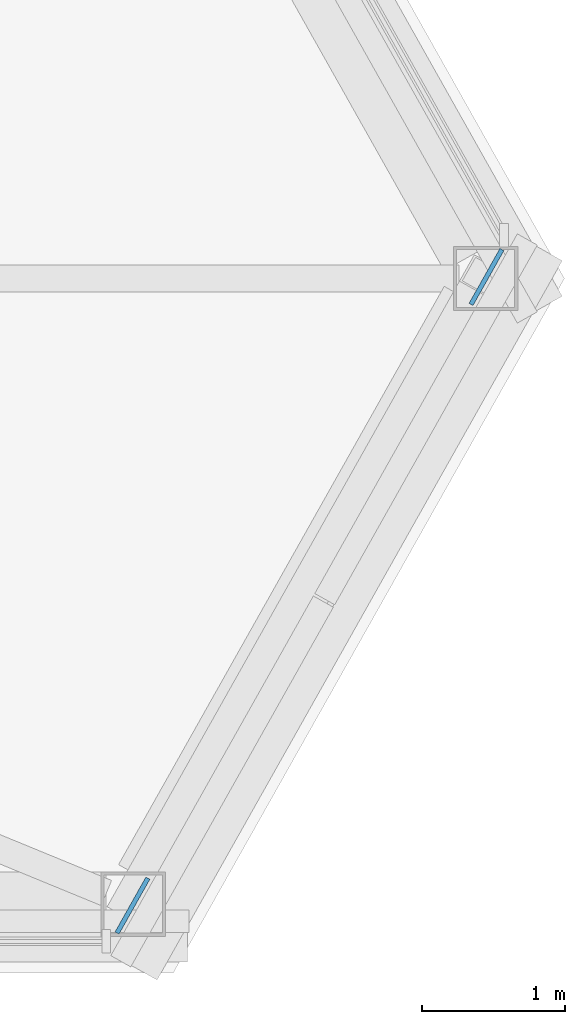
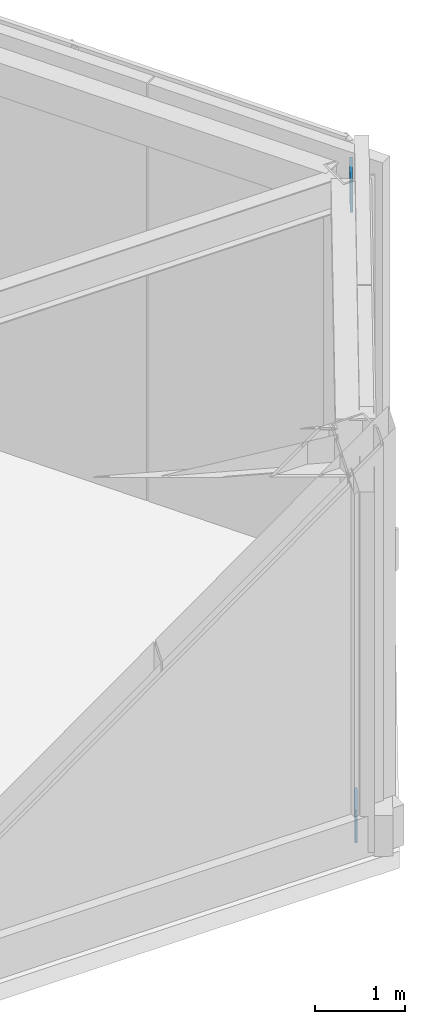
# One storey, part 8 of 11: 2 plates.
"""IFC4 building model written with IfcOpenShell, lengths in metres."""

from ifc_helpers import new_model, si_unit, direction, frame, origin, origin_2d, place, context, subcontext, project, spatial, rectangle, extrude, material, layer, layer_set, type_object, element, save


model = new_model("IFC4")

# Units and contexts
model_context = context("Model", 3, precision=1e-05, world=origin(), true_north=direction((0.0, 1.0)))
body_context = subcontext(model_context, "Body", "Model", "MODEL_VIEW")
ifc_project = project(units=[si_unit("LENGTHUNIT", "METRE"), si_unit("AREAUNIT", "SQUARE_METRE"), si_unit("VOLUMEUNIT", "CUBIC_METRE"), si_unit("PLANEANGLEUNIT", "RADIAN"), si_unit("MASSUNIT", "GRAM", prefix="KILO")], contexts=[model_context])

# Site, building, storey
site_placement = place(None, origin())
site = spatial("IfcSite", under=ifc_project, at=site_placement, CompositionType="ELEMENT")
building_placement = place(site_placement, origin())
building = spatial("IfcBuilding", under=site, at=building_placement, Name="Kavelnor Concourse Tower", CompositionType="ELEMENT")
storey_placement = place(building_placement, frame((0.0, 0.0, 309.949951171875)))
storey = spatial("IfcBuildingStorey", under=building, at=storey_placement, Name="L78", CompositionType="ELEMENT", Elevation=309.949951171875)

# Plates
ifc_material = material(Name="Steel Grade 350", Category="steel")
ifc_layer = layer(ifc_material, 0.031982421875, Name="Steel Grade 350")
ifc_layer_set = layer_set([ifc_layer], Name="Steel Grade 350")
plate_type = type_object("IfcPlateType", Name="PL-GUSSET-TUBE-Z1", PredefinedType="USERDEFINED", material=ifc_layer_set)
for number, where, z_axis, x_axis, name in (
    (1, (57.09375, 6.12451171875, 0.080078125), (0.0, 0.0, 1.0), (0.490751690644, 0.871299476719, 0.0), "L78 Crown Brace 08 End Gusset A"),
    (2, (59.568115234375, 10.51806640625, 5.0751953125), (0.0, 0.0, 1.0), (0.490751690644, 0.871299476719, 0.0), "L78 Crown Brace 08 End Gusset B"),
):
    element("IfcPlate", number, at=place(storey_placement, frame(where, z_axis=z_axis, x_axis=x_axis)), inside=storey, type_object=plate_type, Name=name, ObjectType="GUSSET_PLATE", PredefinedType="USERDEFINED", context=body_context, shape_type="SweptSolid", body=[
        extrude(rectangle(XDim=0.43994140625, YDim=0.031982421875, at=origin_2d()), origin(), (0.0, 0.0, 1.0), 0.43994140625),
    ])

save(model, "model.ifc")
